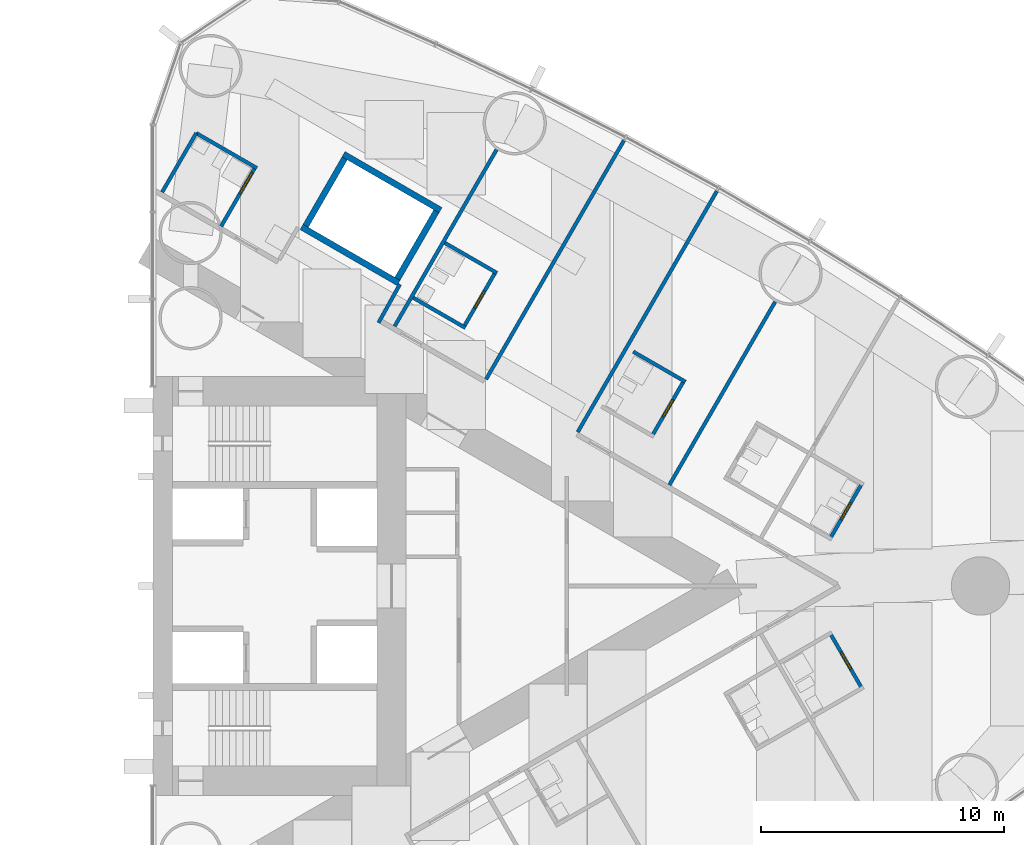
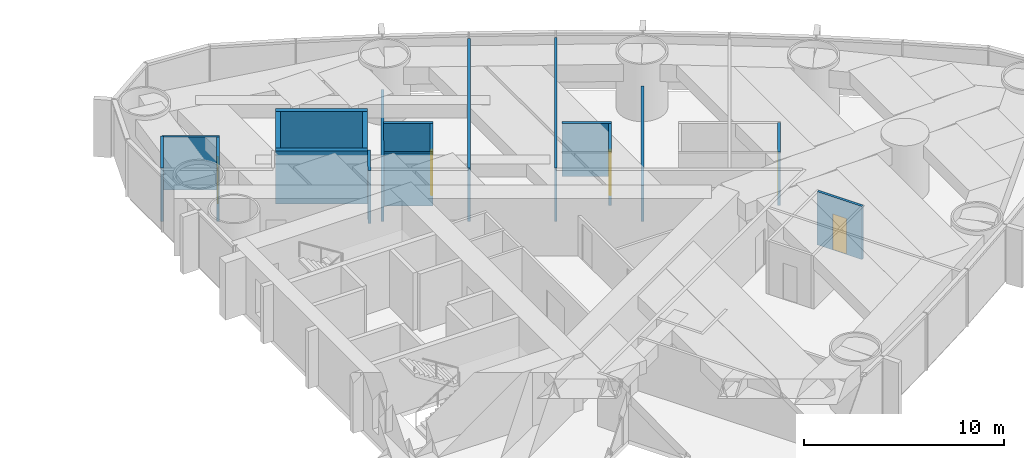
# One storey, part 15 of 18: 19 walls, 5 doors, 5 openings.
"""IFC4 building model written with IfcOpenShell, lengths in metres."""

from ifc_helpers import new_model, si_unit, direction, frame, frame_2d, origin, place, context, subcontext, project, spatial, rectangle, extrude, material, layer, layer_set, type_object, element, fill, save


model = new_model("IFC4")

# Units and contexts
model_context = context("Model", 3, precision=1e-05, world=origin(), true_north=direction((0.0, 1.0)))
body_context = subcontext(model_context, "Body", "Model", "MODEL_VIEW")
ifc_project = project(units=[si_unit("LENGTHUNIT", "METRE"), si_unit("AREAUNIT", "SQUARE_METRE"), si_unit("VOLUMEUNIT", "CUBIC_METRE"), si_unit("PLANEANGLEUNIT", "RADIAN"), si_unit("MASSUNIT", "GRAM", prefix="KILO")], contexts=[model_context])

# Site, building, storey
site_placement = place(None, origin())
site = spatial("IfcSite", under=ifc_project, at=site_placement, CompositionType="ELEMENT")
building_placement = place(site_placement, origin())
building = spatial("IfcBuilding", under=site, at=building_placement, Name="Lancet Gate Hotel", CompositionType="ELEMENT")
storey_placement = place(building_placement, frame((0.0, 0.0, 115.10009765625)))
storey = spatial("IfcBuildingStorey", under=building, at=storey_placement, Name="L30", CompositionType="ELEMENT", Elevation=115.10009765625)

# Wall, opening, door
ifc_material_1 = material(Name="Moisture resistant board partition")
ifc_layer_1 = layer(ifc_material_1, 0.14990234375)
ifc_layer_set_1 = layer_set([ifc_layer_1], Name="Bathroom wall 150")
wall_type_1 = type_object("IfcWallType", Name="Bathroom wall 150", PredefinedType="PARTITIONING", material=ifc_layer_set_1)
wall_1_placement = place(storey_placement, frame((55.32470703125, -1.949951171875, 0.0), z_axis=(0.0, 0.0, 1.0), x_axis=(0.500006934395, -0.866021400173, 0.0)))
wall_1 = element("IfcWall", 1, at=wall_1_placement, inside=storey, type_object=wall_type_1, Name="T2 bathroom wall 150 L30", PredefinedType="PARTITIONING", context=body_context, shape_type="SweptSolid", body=[
    extrude(rectangle(XDim=2.60009765625, YDim=0.14990234375, at=frame_2d((1.300048828125, 0.0))), origin(), (0.0, 0.0, 1.0), 3.25),
])
opening_1_placement = place(wall_1_placement, frame((0.89990234375, 0.0, 0.0)))
opening_1 = element("IfcOpeningElement", 2, at=opening_1_placement, cuts=wall_1, Name="Opening 3057-B", PredefinedType="OPENING", context=body_context, shape_type="SweptSolid", body=[
    extrude(rectangle(XDim=0.800048828125, YDim=2.199951171875, at=frame_2d((0.39990234375, 1.10009765625))), frame((0.0, 0.0849609375, 0.0), z_axis=(0.0, -1.0, 0.0), x_axis=(1.0, 0.0, 0.0)), (0.0, 0.0, 1.0), 0.169921875),
])
ifc_material_2 = material(Name="Timber door set", Category="wood")
door_type_1 = type_object("IfcDoorType", Name="Bathroom door 800", OperationType="SINGLE_SWING_RIGHT", PredefinedType="DOOR", material=ifc_material_2)
door_1_placement = place(opening_1_placement, origin())
door_1 = element("IfcDoor", 3, at=door_1_placement, inside=storey, type_object=door_type_1, Name="3057-B", OperationType="SINGLE_SWING_RIGHT", OverallHeight=2.199951171875, OverallWidth=0.800048828125, PredefinedType="DOOR", context=body_context, shape_type="SweptSolid", body=[
    extrude(rectangle(XDim=0.800048828125, YDim=2.199951171875, at=frame_2d((0.39990234375, 1.10009765625))), frame((0.0, 0.02490234375, 0.0), z_axis=(0.0, -1.0, 0.0), x_axis=(1.0, 0.0, 0.0)), (0.0, 0.0, 1.0), 0.050048828125),
])
fill(opening_1, door_1)

wall_2_placement = place(storey_placement, frame((55.32470703125, 1.949951171875, 0.0), z_axis=(0.0, 0.0, 1.0), x_axis=(0.500006934395, 0.866021400173, 0.0)))
wall_2 = element("IfcWall", 4, at=wall_2_placement, inside=storey, type_object=wall_type_1, Name="T2 bathroom wall 150 L30", PredefinedType="PARTITIONING", context=body_context, shape_type="SweptSolid", body=[
    extrude(rectangle(XDim=2.60009765625, YDim=0.14990234375, at=frame_2d((1.300048828125, 0.0))), origin(), (0.0, 0.0, 1.0), 3.25),
])
opening_2_placement = place(wall_2_placement, frame((0.89990234375, 0.0, 0.0)))
opening_2 = element("IfcOpeningElement", 5, at=opening_2_placement, cuts=wall_2, Name="Opening 3058-B", PredefinedType="OPENING", context=body_context, shape_type="SweptSolid", body=[
    extrude(rectangle(XDim=0.800048828125, YDim=2.199951171875, at=frame_2d((0.39990234375, 1.10009765625))), frame((0.0, 0.0849609375, 0.0), z_axis=(0.0, -1.0, 0.0), x_axis=(1.0, 0.0, 0.0)), (0.0, 0.0, 1.0), 0.169921875),
])
door_2_placement = place(opening_2_placement, origin())
door_2 = element("IfcDoor", 6, at=door_2_placement, inside=storey, type_object=door_type_1, Name="3058-B", OperationType="SINGLE_SWING_RIGHT", OverallHeight=2.199951171875, OverallWidth=0.800048828125, PredefinedType="DOOR", context=body_context, shape_type="SweptSolid", body=[
    extrude(rectangle(XDim=0.800048828125, YDim=2.199951171875, at=frame_2d((0.39990234375, 1.10009765625))), frame((0.0, 0.02490234375, 0.0), z_axis=(0.0, -1.0, 0.0), x_axis=(1.0, 0.0, 0.0)), (0.0, 0.0, 1.0), 0.050048828125),
])
fill(opening_2, door_2)

# Wall
wall_3_placement = place(storey_placement, frame((47.235107421875, 9.622802734375, 0.0), z_axis=(0.0, 0.0, 1.0), x_axis=(0.866006523861, -0.500032699561, 0.0)))
element("IfcWall", 7, at=wall_3_placement, inside=storey, type_object=wall_type_1, Name="T2 bathroom wall 150 L30", PredefinedType="PARTITIONING", context=body_context, shape_type="SweptSolid", body=[
    extrude(rectangle(XDim=2.474853515625, YDim=0.14990234375, at=frame_2d((1.2373046875, 0.0))), origin(), (0.0, 0.0, 1.0), 3.25),
])

# Wall, opening, door
wall_4_placement = place(storey_placement, frame((48.013427734375, 6.171142578125, 0.0), z_axis=(0.0, 0.0, 1.0), x_axis=(0.500006934395, 0.866021400173, 0.0)))
wall_4 = element("IfcWall", 8, at=wall_4_placement, inside=storey, type_object=wall_type_1, Name="T2 bathroom wall 150 L30", PredefinedType="PARTITIONING", context=body_context, shape_type="SweptSolid", body=[
    extrude(rectangle(XDim=2.60009765625, YDim=0.14990234375, at=frame_2d((1.300048828125, 0.0))), origin(), (0.0, 0.0, 1.0), 3.25),
])
opening_3_placement = place(wall_4_placement, frame((0.89990234375, 0.0, 0.0)))
opening_3 = element("IfcOpeningElement", 9, at=opening_3_placement, cuts=wall_4, Name="Opening 3060-B", PredefinedType="OPENING", context=body_context, shape_type="SweptSolid", body=[
    extrude(rectangle(XDim=0.800048828125, YDim=2.199951171875, at=frame_2d((0.39990234375, 1.10009765625))), frame((0.0, 0.0849609375, 0.0), z_axis=(0.0, -1.0, 0.0), x_axis=(1.0, 0.0, 0.0)), (0.0, 0.0, 1.0), 0.169921875),
])
door_3_placement = place(opening_3_placement, origin())
door_3 = element("IfcDoor", 10, at=door_3_placement, inside=storey, type_object=door_type_1, Name="3060-B", OperationType="SINGLE_SWING_RIGHT", OverallHeight=2.199951171875, OverallWidth=0.800048828125, PredefinedType="DOOR", context=body_context, shape_type="SweptSolid", body=[
    extrude(rectangle(XDim=0.800048828125, YDim=2.199951171875, at=frame_2d((0.39990234375, 1.10009765625))), frame((0.0, 0.02490234375, 0.0), z_axis=(0.0, -1.0, 0.0), x_axis=(1.0, 0.0, 0.0)), (0.0, 0.0, 1.0), 0.050048828125),
])
fill(opening_3, door_3)

# Wall
wall_5_placement = place(storey_placement, frame((39.4951171875, 14.091552734375, 0.0), z_axis=(0.0, 0.0, 1.0), x_axis=(0.866006523861, -0.500032699561, 0.0)))
element("IfcWall", 11, at=wall_5_placement, inside=storey, type_object=wall_type_1, Name="T2 bathroom wall 150 L30", PredefinedType="PARTITIONING", context=body_context, shape_type="SweptSolid", body=[
    extrude(rectangle(XDim=2.474853515625, YDim=0.14990234375, at=frame_2d((1.2373046875, 0.0))), origin(), (0.0, 0.0, 1.0), 3.25),
])

# Wall, opening, door
wall_6_placement = place(storey_placement, frame((40.273681640625, 10.639892578125, 0.0), z_axis=(0.0, 0.0, 1.0), x_axis=(0.49997716683, 0.86603858612, 0.0)))
wall_6 = element("IfcWall", 12, at=wall_6_placement, inside=storey, type_object=wall_type_1, Name="T2 bathroom wall 150 L30", PredefinedType="PARTITIONING", context=body_context, shape_type="SweptSolid", body=[
    extrude(rectangle(XDim=2.599609375, YDim=0.14990234375, at=frame_2d((1.2998046875, 0.0))), origin(), (0.0, 0.0, 1.0), 3.25),
])
opening_4_placement = place(wall_6_placement, frame((0.89990234375, 0.0, 0.0)))
opening_4 = element("IfcOpeningElement", 13, at=opening_4_placement, cuts=wall_6, Name="Opening 3062-B", PredefinedType="OPENING", context=body_context, shape_type="SweptSolid", body=[
    extrude(rectangle(XDim=0.800048828125, YDim=2.199951171875, at=frame_2d((0.39990234375, 1.10009765625))), frame((0.0, 0.0849609375, 0.0), z_axis=(0.0, -1.0, 0.0), x_axis=(1.0, 0.0, 0.0)), (0.0, 0.0, 1.0), 0.169921875),
])
door_4_placement = place(opening_4_placement, origin())
door_4 = element("IfcDoor", 14, at=door_4_placement, inside=storey, type_object=door_type_1, Name="3062-B", OperationType="SINGLE_SWING_RIGHT", OverallHeight=2.199951171875, OverallWidth=0.800048828125, PredefinedType="DOOR", context=body_context, shape_type="SweptSolid", body=[
    extrude(rectangle(XDim=0.800048828125, YDim=2.199951171875, at=frame_2d((0.39990234375, 1.10009765625))), frame((0.0, 0.02490234375, 0.0), z_axis=(0.0, -1.0, 0.0), x_axis=(1.0, 0.0, 0.0)), (0.0, 0.0, 1.0), 0.050048828125),
])
fill(opening_4, door_4)

# Walls
wall_7_placement = place(storey_placement, frame((38.195068359375, 11.83984375, 0.0), z_axis=(0.0, 0.0, 1.0), x_axis=(0.866031185235, -0.4999899861, 0.0)))
element("IfcWall", 15, at=wall_7_placement, inside=storey, type_object=wall_type_1, Name="T2 bathroom wall 150 L30", PredefinedType="PARTITIONING", context=body_context, shape_type="SweptSolid", body=[
    extrude(rectangle(XDim=2.47509765625, YDim=0.14990234375, at=frame_2d((1.237548828125, 0.0))), origin(), (0.0, 0.0, 1.0), 3.25),
])
wall_8_placement = place(storey_placement, frame((29.281982421875, 18.6025390625, 0.0), z_axis=(0.0, 0.0, 1.0), x_axis=(0.866018712932, -0.500011588718, 0.0)))
element("IfcWall", 16, at=wall_8_placement, inside=storey, type_object=wall_type_1, Name="T2 bathroom wall 150 L30", PredefinedType="PARTITIONING", context=body_context, shape_type="SweptSolid", body=[
    extrude(rectangle(XDim=2.875, YDim=0.14990234375, at=frame_2d((1.4375, 0.0))), origin(), (0.0, 0.0, 1.0), 3.25),
])

# Wall, opening, door
wall_9_placement = place(storey_placement, frame((30.306640625, 14.777587890625, 0.0), z_axis=(0.0, 0.0, 1.0), x_axis=(0.500049511043, 0.865996816683, 0.0)))
wall_9 = element("IfcWall", 17, at=wall_9_placement, inside=storey, type_object=wall_type_1, Name="T2 bathroom wall 150 L30", PredefinedType="PARTITIONING", context=body_context, shape_type="SweptSolid", body=[
    extrude(rectangle(XDim=2.800048828125, YDim=0.14990234375, at=frame_2d((1.39990234375, 0.0))), origin(), (0.0, 0.0, 1.0), 3.25),
])
opening_5_placement = place(wall_9_placement, frame((1.550048828125, 0.0, 0.0)))
opening_5 = element("IfcOpeningElement", 18, at=opening_5_placement, cuts=wall_9, Name="Opening 3063-B", PredefinedType="OPENING", context=body_context, shape_type="SweptSolid", body=[
    extrude(rectangle(XDim=1.0, YDim=2.199951171875, at=frame_2d((0.5, 1.10009765625))), frame((0.0, 0.0849609375, 0.0), z_axis=(0.0, -1.0, 0.0), x_axis=(1.0, 0.0, 0.0)), (0.0, 0.0, 1.0), 0.169921875),
])
ifc_material_3 = material(Name="Timber door set", Category="wood")
door_type_2 = type_object("IfcDoorType", Name="Accessible en-suite door 1000", OperationType="SINGLE_SWING_RIGHT", PredefinedType="DOOR", material=ifc_material_3)
door_5_placement = place(opening_5_placement, origin())
door_5 = element("IfcDoor", 19, at=door_5_placement, inside=storey, type_object=door_type_2, Name="3063-B", OperationType="SINGLE_SWING_RIGHT", OverallHeight=2.199951171875, OverallWidth=1.0, PredefinedType="DOOR", context=body_context, shape_type="SweptSolid", body=[
    extrude(rectangle(XDim=1.0, YDim=2.199951171875, at=frame_2d((0.5, 1.10009765625))), frame((0.0, 0.02490234375, 0.0), z_axis=(0.0, -1.0, 0.0), x_axis=(1.0, 0.0, 0.0)), (0.0, 0.0, 1.0), 0.050048828125),
])
fill(opening_5, door_5)

# Walls
wall_10_placement = place(storey_placement, frame((27.8818359375, 16.177490234375, 0.0), z_axis=(0.0, 0.0, 1.0), x_axis=(0.500011755427, 0.866018616679, 0.0)))
element("IfcWall", 20, at=wall_10_placement, inside=storey, type_object=wall_type_1, Name="T2 bathroom wall 150 L30", PredefinedType="PARTITIONING", context=body_context, shape_type="SweptSolid", body=[
    extrude(rectangle(XDim=2.80029296875, YDim=0.14990234375, at=frame_2d((1.400146484375, 0.0))), origin(), (0.0, 0.0, 1.0), 3.25),
])
ifc_material_4 = material(Name="Gypsum board partition")
ifc_layer_2 = layer(ifc_material_4, 0.25)
ifc_layer_set_2 = layer_set([ifc_layer_2], Name="Lift shaft partition 250")
wall_type_2 = type_object("IfcWallType", Name="Lift shaft partition 250", PredefinedType="PARTITIONING", material=ifc_layer_set_2)
for number, where, z_axis, x_axis, name in (
    (21, (33.6083984375, 14.747314453125, 0.0), (0.0, 0.0, 1.0), (0.866043305498, -0.49996899204, 0.0), "T2 lift shaft wall EX L30"),
    (22, (35.33349609375, 17.73583984375, 0.0), (0.0, 0.0, 1.0), (0.866043305498, -0.49996899204, 0.0), "T2 lift shaft wall EX L30"),
):
    element("IfcWall", number, at=place(storey_placement, frame(where, z_axis=z_axis, x_axis=x_axis)), inside=storey, type_object=wall_type_2, Name=name, PredefinedType="PARTITIONING", context=body_context, shape_type="SweptSolid", body=[
        extrude(rectangle(XDim=4.600341796875, YDim=0.25, at=frame_2d((2.30029296875, 0.0))), origin(), (0.0, 0.0, 1.0), 3.25),
    ])
for number, where, z_axis, x_axis, name in (
    (23, (33.779296875, 14.79296875, 0.0), (0.0, 0.0, 1.0), (0.499929347863, 0.866066190972, 0.0), "T2 lift shaft wall EX L30"),
    (24, (37.546630859375, 12.617919921875, 0.0), (0.0, 0.0, 1.0), (0.499929347863, 0.866066190972, 0.0), "T2 lift shaft wall EX L30"),
):
    element("IfcWall", number, at=place(storey_placement, frame(where, z_axis=z_axis, x_axis=x_axis)), inside=storey, type_object=wall_type_2, Name=name, PredefinedType="PARTITIONING", context=body_context, shape_type="SweptSolid", body=[
        extrude(rectangle(XDim=3.20068359375, YDim=0.25, at=frame_2d((1.600341796875, 0.0))), origin(), (0.0, 0.0, 1.0), 3.25),
    ])
ifc_material_5 = material(Name="Gypsum board partition")
ifc_layer_3 = layer(ifc_material_5, 0.14990234375)
ifc_layer_set_3 = layer_set([ifc_layer_3], Name="Party wall 150")
wall_type_3 = type_object("IfcWallType", Name="Party wall 150", PredefinedType="PARTITIONING", material=ifc_layer_set_3)
wall_11_placement = place(storey_placement, frame((37.43017578125, 10.664794921875, 0.0), z_axis=(0.0, 0.0, 1.0), x_axis=(0.499989991081, 0.866031182359, 0.0)))
element("IfcWall", 25, at=wall_11_placement, inside=storey, type_object=wall_type_3, Name="T2 party wall 150 L30", PredefinedType="PARTITIONING", context=body_context, shape_type="SweptSolid", body=[
    extrude(rectangle(XDim=8.373291015625, YDim=0.14990234375, at=frame_2d((4.1865234375, 0.0))), origin(), (0.0, 0.0, 1.0), 2.199951171875),
])
wall_12_placement = place(storey_placement, frame((41.18994140625, 8.494140625, 0.0), z_axis=(0.0, 0.0, 1.0), x_axis=(0.49999258054, 0.866029687369, 0.0)))
element("IfcWall", 26, at=wall_12_placement, inside=storey, type_object=wall_type_3, Name="T2 party wall 150 L30", PredefinedType="PARTITIONING", context=body_context, shape_type="SweptSolid", body=[
    extrude(rectangle(XDim=11.318115234375, YDim=0.14990234375, at=frame_2d((5.6591796875, 0.0))), origin(), (0.0, 0.0, 1.0), 3.25),
])
wall_13_placement = place(storey_placement, frame((44.95361328125, 6.3212890625, 0.0), z_axis=(0.0, 0.0, 1.0), x_axis=(0.500009815811, 0.866019736549, 0.0)))
element("IfcWall", 27, at=wall_13_placement, inside=storey, type_object=wall_type_3, Name="T2 party wall 150 L30", PredefinedType="PARTITIONING", context=body_context, shape_type="SweptSolid", body=[
    extrude(rectangle(XDim=11.423583984375, YDim=0.14990234375, at=frame_2d((5.7119140625, 0.0))), origin(), (0.0, 0.0, 1.0), 3.25),
])
wall_14_placement = place(storey_placement, frame((48.718505859375, 4.1474609375, 0.0), z_axis=(0.0, 0.0, 1.0), x_axis=(0.499993328235, 0.866029255696, 0.0)))
element("IfcWall", 28, at=wall_14_placement, inside=storey, type_object=wall_type_3, Name="T2 party wall 150 L30", PredefinedType="PARTITIONING", context=body_context, shape_type="SweptSolid", body=[
    extrude(rectangle(XDim=8.68603515625, YDim=0.14990234375, at=frame_2d((4.343017578125, 0.0))), origin(), (0.0, 0.0, 1.0), 2.199951171875),
])
ifc_material_6 = material(Name="Gypsum board partition")
ifc_layer_4 = layer(ifc_material_6, 0.14990234375)
ifc_layer_set_4 = layer_set([ifc_layer_4], Name="Service room wall 150")
wall_type_4 = type_object("IfcWallType", Name="Service room wall 150", PredefinedType="PARTITIONING", material=ifc_layer_set_4)
wall_15_placement = place(storey_placement, frame((36.77099609375, 10.814453125, 0.0), z_axis=(0.0, 0.0, 1.0), x_axis=(0.485585508183, 0.874189175317, 0.0)))
element("IfcWall", 29, at=wall_15_placement, inside=storey, type_object=wall_type_4, Name="T2 service room wall 150 L30", PredefinedType="PARTITIONING", context=body_context, shape_type="SweptSolid", body=[
    extrude(rectangle(XDim=1.804931640625, YDim=0.14990234375, at=frame_2d((0.90234375, 0.0))), origin(), (0.0, 0.0, 1.0), 3.25),
])

save(model, "model.ifc")
